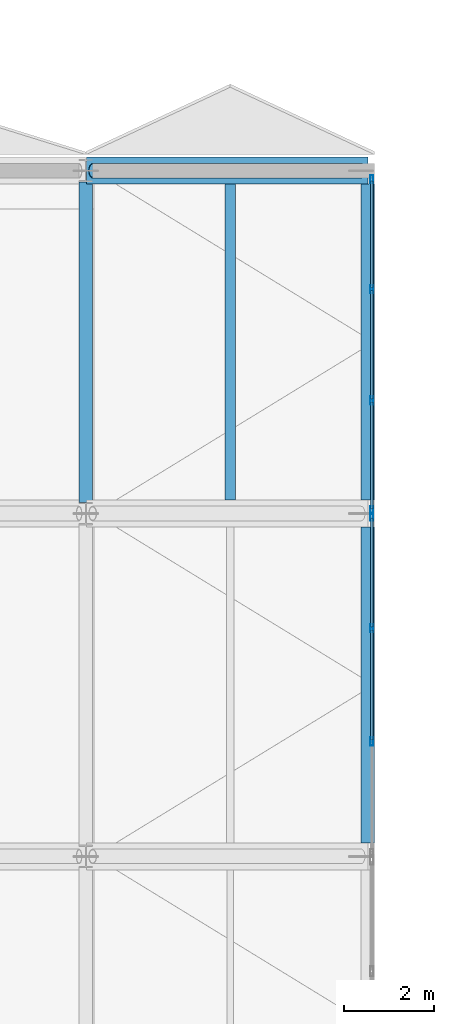
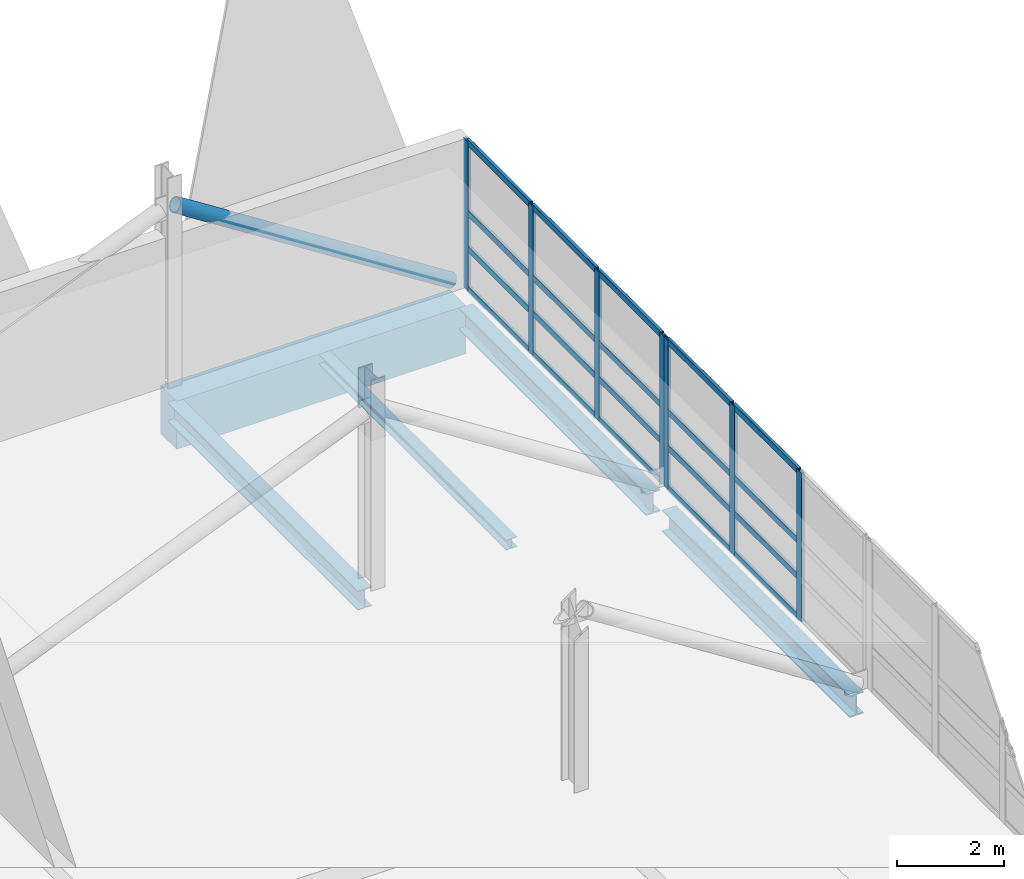
# One storey, part 24 of 147: 28 members, 5 beams, 2 elements without a shape of their own.
"""IFC4 building model written with IfcOpenShell, lengths in metres."""

from ifc_helpers import new_model, si_unit, direction, frame, origin, origin_2d, place, context, subcontext, project, spatial, rectangle, hollow_rectangle, hollow_circle, i_section, extrude, material, material_profile, profile_set, type_object, element, aggregate, save


model = new_model("IFC4")

# Units and contexts
model_context = context("Model", 3, precision=1e-05, world=origin(), true_north=direction((0.0, 1.0)))
body_context = subcontext(model_context, "Body", "Model", "MODEL_VIEW")
ifc_project = project(units=[si_unit("LENGTHUNIT", "METRE"), si_unit("AREAUNIT", "SQUARE_METRE"), si_unit("VOLUMEUNIT", "CUBIC_METRE"), si_unit("PLANEANGLEUNIT", "RADIAN"), si_unit("MASSUNIT", "GRAM", prefix="KILO")], contexts=[model_context])

# Site, building, storey
site_placement = place(None, origin())
site = spatial("IfcSite", under=ifc_project, at=site_placement, CompositionType="ELEMENT")
building_placement = place(site_placement, origin())
building = spatial("IfcBuilding", under=site, at=building_placement, Name="Khelvaren Railside Concert Hall", CompositionType="ELEMENT")
storey_placement = place(building_placement, frame((0.0, 0.0, 5.39990234375)))
storey = spatial("IfcBuildingStorey", under=building, at=storey_placement, Name="L01", CompositionType="ELEMENT", Elevation=5.39990234375)

# Beam
ifc_material_1 = material(Name="Steel S355", Category="steel")
ifc_material_profile_1 = material_profile(ifc_material_1, i_section(OverallWidth=0.300048828125, OverallDepth=0.43994140625, WebThickness=0.011474609375, FlangeThickness=0.02099609375, FilletRadius=0.027099609375, at=origin_2d()), Name="HEA 450")
ifc_profile_set_1 = profile_set([ifc_material_profile_1], Name="Steel S355")
beam_type_1 = type_object("IfcBeamType", Name="BM89", PredefinedType="BEAM", material=ifc_profile_set_1)
beam_1_placement = place(storey_placement, frame((49.60009765625, 38.25, -0.52001953125), z_axis=(0.0, 1.0, 0.0), x_axis=(-1.0, 0.0, 0.0)))
element("IfcBeam", 1, at=beam_1_placement, inside=storey, type_object=beam_type_1, Name="V1 L01 Beam Y7.6", PredefinedType="BEAM", context=body_context, shape_type="SweptSolid", body=[
    extrude(i_section(OverallWidth=0.300048828125, OverallDepth=0.43994140625, WebThickness=0.011474609375, FlangeThickness=0.02099609375, FilletRadius=0.027099609375, at=origin_2d()), origin(), (0.0, 0.0, 1.0), 7.10009765625),
])

# Member
ifc_material_profile_2 = material_profile(ifc_material_1, hollow_circle(Radius=0.161865234375, WallThickness=0.01611328125, at=origin_2d()), Name="CHS 323.9x16")
ifc_profile_set_2 = profile_set([ifc_material_profile_2], Name="Steel S355")
member_type_1 = type_object("IfcMemberType", Name="BR78", PredefinedType="BRACE", material=ifc_profile_set_2)
member_1_placement = place(storey_placement, frame((49.75, 45.60009765625, 3.960205078125), z_axis=(0.842137077221, 0.0, -0.539263519228), x_axis=(0.0, 1.0, 0.0)))
element("IfcMember", 2, at=member_1_placement, inside=storey, type_object=member_type_1, Name="V1 L01 Plaza Cantilever Truss Diagonal 7A", PredefinedType="BRACE", context=body_context, shape_type="SweptSolid", body=[
    extrude(hollow_circle(Radius=0.161865234375, WallThickness=0.01611328125, at=origin_2d()), origin(), (0.0, 0.0, 1.0), 7.065185546875),
])

# Curtain wall, members
ifc_material_2 = material(Name="Double-glazed low-E dark acoustic glass", Category="glass")
curtain_wall_type_1 = type_object("IfcCurtainWallType", Name="CW65", PredefinedType="USERDEFINED", material=ifc_material_2)
curtain_wall_1_placement = place(storey_placement, origin())
curtain_wall_1 = element("IfcCurtainWall", 3, at=curtain_wall_1_placement, inside=storey, type_object=curtain_wall_type_1, Name="Unitised Curtain Wall CW-V1-L01-E-30", ObjectType="UNITISED CURTAIN WALL", PredefinedType="USERDEFINED")
ifc_material_3 = material(Name="Anodised architectural aluminium 6063-T6", Category="aluminium")
ifc_material_profile_3 = material_profile(ifc_material_3, hollow_rectangle(XDim=0.06494140625, YDim=0.179931640625, WallThickness=0.00390625, InnerFilletRadius=0.001953125, OuterFilletRadius=0.00390625, at=origin_2d()), Name="CWM 65x180x4")
ifc_profile_set_3 = profile_set([ifc_material_profile_3], Name="Anodised architectural aluminium 6063-T6")
member_type_2 = type_object("IfcMemberType", Name="CWM63", PredefinedType="MULLION", material=ifc_profile_set_3)
member_2_placement = place(storey_placement, frame((55.93994140625, 37.927490234375, 0.0), z_axis=(0.0, 0.0, 1.0), x_axis=(1.0, 0.0, 0.0)))
member_2 = element("IfcMember", 4, at=member_2_placement, type_object=member_type_2, Name="CW65 mullion 1", PredefinedType="MULLION", context=body_context, shape_type="SweptSolid", body=[
    extrude(hollow_rectangle(XDim=0.06494140625, YDim=0.179931640625, WallThickness=0.00390625, InnerFilletRadius=0.001953125, OuterFilletRadius=0.00390625, at=origin_2d()), origin(), (0.0, 0.0, 1.0), 3.400146484375),
])
member_3_placement = place(storey_placement, frame((55.93994140625, 35.453369140625, 0.0), z_axis=(0.0, 0.0, 1.0), x_axis=(1.0, 0.0, 0.0)))
member_3 = element("IfcMember", 5, at=member_3_placement, type_object=member_type_2, Name="CW65 mullion 2", PredefinedType="MULLION", context=body_context, shape_type="SweptSolid", body=[
    extrude(hollow_rectangle(XDim=0.06494140625, YDim=0.179931640625, WallThickness=0.00390625, InnerFilletRadius=0.001953125, OuterFilletRadius=0.00390625, at=origin_2d()), origin(), (0.0, 0.0, 1.0), 3.400146484375),
])
member_4_placement = place(storey_placement, frame((55.93994140625, 32.94677734375, 0.0), z_axis=(0.0, 0.0, 1.0), x_axis=(1.0, 0.0, 0.0)))
member_4 = element("IfcMember", 6, at=member_4_placement, type_object=member_type_2, Name="CW65 mullion 3", PredefinedType="MULLION", context=body_context, shape_type="SweptSolid", body=[
    extrude(hollow_rectangle(XDim=0.06494140625, YDim=0.179931640625, WallThickness=0.00390625, InnerFilletRadius=0.001953125, OuterFilletRadius=0.00390625, at=origin_2d()), origin(), (0.0, 0.0, 1.0), 3.400146484375),
])

curtain_wall_type_2 = type_object("IfcCurtainWallType", Name="CW69", PredefinedType="USERDEFINED", material=ifc_material_2)
curtain_wall_2_placement = place(storey_placement, origin())
curtain_wall_2 = element("IfcCurtainWall", 7, at=curtain_wall_2_placement, inside=storey, type_object=curtain_wall_type_2, Name="Unitised Curtain Wall CW-V1-L01-E-38", ObjectType="UNITISED CURTAIN WALL", PredefinedType="USERDEFINED")
member_5_placement = place(storey_placement, frame((55.93994140625, 45.407470703125, 0.0), z_axis=(0.0, 0.0, 1.0), x_axis=(1.0, 0.0, 0.0)))
member_5 = element("IfcMember", 8, at=member_5_placement, type_object=member_type_2, Name="CW69 mullion 1", PredefinedType="MULLION", context=body_context, shape_type="SweptSolid", body=[
    extrude(hollow_rectangle(XDim=0.06494140625, YDim=0.179931640625, WallThickness=0.00390625, InnerFilletRadius=0.001953125, OuterFilletRadius=0.00390625, at=origin_2d()), origin(), (0.0, 0.0, 1.0), 3.400146484375),
])
member_6_placement = place(storey_placement, frame((55.93994140625, 42.973388671875, 0.0), z_axis=(0.0, 0.0, 1.0), x_axis=(1.0, 0.0, 0.0)))
member_6 = element("IfcMember", 9, at=member_6_placement, type_object=member_type_2, Name="CW69 mullion 2", PredefinedType="MULLION", context=body_context, shape_type="SweptSolid", body=[
    extrude(hollow_rectangle(XDim=0.06494140625, YDim=0.179931640625, WallThickness=0.00390625, InnerFilletRadius=0.001953125, OuterFilletRadius=0.00390625, at=origin_2d()), origin(), (0.0, 0.0, 1.0), 3.400146484375),
])
member_7_placement = place(storey_placement, frame((55.93994140625, 40.506591796875, 0.0), z_axis=(0.0, 0.0, 1.0), x_axis=(1.0, 0.0, 0.0)))
member_7 = element("IfcMember", 10, at=member_7_placement, type_object=member_type_2, Name="CW69 mullion 3", PredefinedType="MULLION", context=body_context, shape_type="SweptSolid", body=[
    extrude(hollow_rectangle(XDim=0.06494140625, YDim=0.179931640625, WallThickness=0.00390625, InnerFilletRadius=0.001953125, OuterFilletRadius=0.00390625, at=origin_2d()), origin(), (0.0, 0.0, 1.0), 3.400146484375),
])
member_8_placement = place(storey_placement, frame((55.93994140625, 38.072509765625, 0.0), z_axis=(0.0, 0.0, 1.0), x_axis=(1.0, 0.0, 0.0)))
member_8 = element("IfcMember", 11, at=member_8_placement, type_object=member_type_2, Name="CW69 mullion 4", PredefinedType="MULLION", context=body_context, shape_type="SweptSolid", body=[
    extrude(hollow_rectangle(XDim=0.06494140625, YDim=0.179931640625, WallThickness=0.00390625, InnerFilletRadius=0.001953125, OuterFilletRadius=0.00390625, at=origin_2d()), origin(), (0.0, 0.0, 1.0), 3.400146484375),
])

# Member
ifc_material_profile_4 = material_profile(ifc_material_3, hollow_rectangle(XDim=0.06494140625, YDim=0.139892578125, WallThickness=0.00390625, InnerFilletRadius=0.001953125, OuterFilletRadius=0.00390625, at=origin_2d()), Name="CWT 65x140x4")
ifc_profile_set_4 = profile_set([ifc_material_profile_4], Name="Anodised architectural aluminium 6063-T6")
member_type_3 = type_object("IfcMemberType", Name="CWT72", PredefinedType="USERDEFINED", material=ifc_profile_set_4)
member_9_placement = place(storey_placement, frame((55.93994140625, 37.89501953125, 0.03271484375), z_axis=(0.0, -1.0, 0.0), x_axis=(1.0, 0.0, 0.0)))
member_9 = element("IfcMember", 12, at=member_9_placement, type_object=member_type_3, Name="CW65 transom 1.1", ObjectType="TRANSOM", PredefinedType="USERDEFINED", context=body_context, shape_type="SweptSolid", body=[
    extrude(hollow_rectangle(XDim=0.06494140625, YDim=0.139892578125, WallThickness=0.00390625, InnerFilletRadius=0.001953125, OuterFilletRadius=0.00390625, at=origin_2d()), origin(), (0.0, 0.0, 1.0), 2.4091796875),
])

member_10_placement = place(storey_placement, frame((55.93994140625, 37.89501953125, 0.9501953125), z_axis=(0.0, -1.0, 0.0), x_axis=(1.0, 0.0, 0.0)))
member_10 = element("IfcMember", 13, at=member_10_placement, type_object=member_type_3, Name="CW65 transom 1.2", ObjectType="TRANSOM", PredefinedType="USERDEFINED", context=body_context, shape_type="SweptSolid", body=[
    extrude(hollow_rectangle(XDim=0.06494140625, YDim=0.139892578125, WallThickness=0.00390625, InnerFilletRadius=0.001953125, OuterFilletRadius=0.00390625, at=origin_2d()), origin(), (0.0, 0.0, 1.0), 2.4091796875),
])

member_11_placement = place(storey_placement, frame((55.93994140625, 37.89501953125, 1.76806640625), z_axis=(0.0, -1.0, 0.0), x_axis=(1.0, 0.0, 0.0)))
member_11 = element("IfcMember", 14, at=member_11_placement, type_object=member_type_3, Name="CW65 transom 1.3", ObjectType="TRANSOM", PredefinedType="USERDEFINED", context=body_context, shape_type="SweptSolid", body=[
    extrude(hollow_rectangle(XDim=0.06494140625, YDim=0.139892578125, WallThickness=0.00390625, InnerFilletRadius=0.001953125, OuterFilletRadius=0.00390625, at=origin_2d()), origin(), (0.0, 0.0, 1.0), 2.4091796875),
])

member_12_placement = place(storey_placement, frame((55.93994140625, 37.89501953125, 3.36767578125), z_axis=(0.0, -1.0, 0.0), x_axis=(1.0, 0.0, 0.0)))
member_12 = element("IfcMember", 15, at=member_12_placement, type_object=member_type_3, Name="CW65 transom 1.4", ObjectType="TRANSOM", PredefinedType="USERDEFINED", context=body_context, shape_type="SweptSolid", body=[
    extrude(hollow_rectangle(XDim=0.06494140625, YDim=0.139892578125, WallThickness=0.00390625, InnerFilletRadius=0.001953125, OuterFilletRadius=0.00390625, at=origin_2d()), origin(), (0.0, 0.0, 1.0), 2.4091796875),
])

member_13_placement = place(storey_placement, frame((55.93994140625, 35.4208984375, 0.03271484375), z_axis=(0.0, -1.0, 0.0), x_axis=(1.0, 0.0, 0.0)))
member_13 = element("IfcMember", 16, at=member_13_placement, type_object=member_type_3, Name="CW65 transom 2.1", ObjectType="TRANSOM", PredefinedType="USERDEFINED", context=body_context, shape_type="SweptSolid", body=[
    extrude(hollow_rectangle(XDim=0.06494140625, YDim=0.139892578125, WallThickness=0.00390625, InnerFilletRadius=0.001953125, OuterFilletRadius=0.00390625, at=origin_2d()), origin(), (0.0, 0.0, 1.0), 2.441650390625),
])

member_14_placement = place(storey_placement, frame((55.93994140625, 35.4208984375, 0.9501953125), z_axis=(0.0, -1.0, 0.0), x_axis=(1.0, 0.0, 0.0)))
member_14 = element("IfcMember", 17, at=member_14_placement, type_object=member_type_3, Name="CW65 transom 2.2", ObjectType="TRANSOM", PredefinedType="USERDEFINED", context=body_context, shape_type="SweptSolid", body=[
    extrude(hollow_rectangle(XDim=0.06494140625, YDim=0.139892578125, WallThickness=0.00390625, InnerFilletRadius=0.001953125, OuterFilletRadius=0.00390625, at=origin_2d()), origin(), (0.0, 0.0, 1.0), 2.441650390625),
])

member_15_placement = place(storey_placement, frame((55.93994140625, 35.4208984375, 1.76806640625), z_axis=(0.0, -1.0, 0.0), x_axis=(1.0, 0.0, 0.0)))
member_15 = element("IfcMember", 18, at=member_15_placement, type_object=member_type_3, Name="CW65 transom 2.3", ObjectType="TRANSOM", PredefinedType="USERDEFINED", context=body_context, shape_type="SweptSolid", body=[
    extrude(hollow_rectangle(XDim=0.06494140625, YDim=0.139892578125, WallThickness=0.00390625, InnerFilletRadius=0.001953125, OuterFilletRadius=0.00390625, at=origin_2d()), origin(), (0.0, 0.0, 1.0), 2.441650390625),
])

member_16_placement = place(storey_placement, frame((55.93994140625, 35.4208984375, 3.36767578125), z_axis=(0.0, -1.0, 0.0), x_axis=(1.0, 0.0, 0.0)))
member_16 = element("IfcMember", 19, at=member_16_placement, type_object=member_type_3, Name="CW65 transom 2.4", ObjectType="TRANSOM", PredefinedType="USERDEFINED", context=body_context, shape_type="SweptSolid", body=[
    extrude(hollow_rectangle(XDim=0.06494140625, YDim=0.139892578125, WallThickness=0.00390625, InnerFilletRadius=0.001953125, OuterFilletRadius=0.00390625, at=origin_2d()), origin(), (0.0, 0.0, 1.0), 2.441650390625),
])

aggregate(curtain_wall_1, [member_2, member_3, member_4, member_9, member_10, member_11, member_12, member_13, member_14, member_15, member_16])

member_17_placement = place(storey_placement, frame((55.93994140625, 45.375, 0.03271484375), z_axis=(0.0, -1.0, 0.0), x_axis=(1.0, 0.0, 0.0)))
member_17 = element("IfcMember", 20, at=member_17_placement, type_object=member_type_3, Name="CW69 transom 1.1", ObjectType="TRANSOM", PredefinedType="USERDEFINED", context=body_context, shape_type="SweptSolid", body=[
    extrude(hollow_rectangle(XDim=0.06494140625, YDim=0.139892578125, WallThickness=0.00390625, InnerFilletRadius=0.001953125, OuterFilletRadius=0.00390625, at=origin_2d()), origin(), (0.0, 0.0, 1.0), 2.369140625),
])

member_18_placement = place(storey_placement, frame((55.93994140625, 45.375, 0.9501953125), z_axis=(0.0, -1.0, 0.0), x_axis=(1.0, 0.0, 0.0)))
member_18 = element("IfcMember", 21, at=member_18_placement, type_object=member_type_3, Name="CW69 transom 1.2", ObjectType="TRANSOM", PredefinedType="USERDEFINED", context=body_context, shape_type="SweptSolid", body=[
    extrude(hollow_rectangle(XDim=0.06494140625, YDim=0.139892578125, WallThickness=0.00390625, InnerFilletRadius=0.001953125, OuterFilletRadius=0.00390625, at=origin_2d()), origin(), (0.0, 0.0, 1.0), 2.369140625),
])

member_19_placement = place(storey_placement, frame((55.93994140625, 45.375, 1.76806640625), z_axis=(0.0, -1.0, 0.0), x_axis=(1.0, 0.0, 0.0)))
member_19 = element("IfcMember", 22, at=member_19_placement, type_object=member_type_3, Name="CW69 transom 1.3", ObjectType="TRANSOM", PredefinedType="USERDEFINED", context=body_context, shape_type="SweptSolid", body=[
    extrude(hollow_rectangle(XDim=0.06494140625, YDim=0.139892578125, WallThickness=0.00390625, InnerFilletRadius=0.001953125, OuterFilletRadius=0.00390625, at=origin_2d()), origin(), (0.0, 0.0, 1.0), 2.369140625),
])

member_20_placement = place(storey_placement, frame((55.93994140625, 45.375, 3.36767578125), z_axis=(0.0, -1.0, 0.0), x_axis=(1.0, 0.0, 0.0)))
member_20 = element("IfcMember", 23, at=member_20_placement, type_object=member_type_3, Name="CW69 transom 1.4", ObjectType="TRANSOM", PredefinedType="USERDEFINED", context=body_context, shape_type="SweptSolid", body=[
    extrude(hollow_rectangle(XDim=0.06494140625, YDim=0.139892578125, WallThickness=0.00390625, InnerFilletRadius=0.001953125, OuterFilletRadius=0.00390625, at=origin_2d()), origin(), (0.0, 0.0, 1.0), 2.369140625),
])

member_21_placement = place(storey_placement, frame((55.93994140625, 42.94091796875, 0.03271484375), z_axis=(0.0, -1.0, 0.0), x_axis=(1.0, 0.0, 0.0)))
member_21 = element("IfcMember", 24, at=member_21_placement, type_object=member_type_3, Name="CW69 transom 2.1", ObjectType="TRANSOM", PredefinedType="USERDEFINED", context=body_context, shape_type="SweptSolid", body=[
    extrude(hollow_rectangle(XDim=0.06494140625, YDim=0.139892578125, WallThickness=0.00390625, InnerFilletRadius=0.001953125, OuterFilletRadius=0.00390625, at=origin_2d()), origin(), (0.0, 0.0, 1.0), 2.40185546875),
])

member_22_placement = place(storey_placement, frame((55.93994140625, 42.94091796875, 0.9501953125), z_axis=(0.0, -1.0, 0.0), x_axis=(1.0, 0.0, 0.0)))
member_22 = element("IfcMember", 25, at=member_22_placement, type_object=member_type_3, Name="CW69 transom 2.2", ObjectType="TRANSOM", PredefinedType="USERDEFINED", context=body_context, shape_type="SweptSolid", body=[
    extrude(hollow_rectangle(XDim=0.06494140625, YDim=0.139892578125, WallThickness=0.00390625, InnerFilletRadius=0.001953125, OuterFilletRadius=0.00390625, at=origin_2d()), origin(), (0.0, 0.0, 1.0), 2.40185546875),
])

member_23_placement = place(storey_placement, frame((55.93994140625, 42.94091796875, 1.76806640625), z_axis=(0.0, -1.0, 0.0), x_axis=(1.0, 0.0, 0.0)))
member_23 = element("IfcMember", 26, at=member_23_placement, type_object=member_type_3, Name="CW69 transom 2.3", ObjectType="TRANSOM", PredefinedType="USERDEFINED", context=body_context, shape_type="SweptSolid", body=[
    extrude(hollow_rectangle(XDim=0.06494140625, YDim=0.139892578125, WallThickness=0.00390625, InnerFilletRadius=0.001953125, OuterFilletRadius=0.00390625, at=origin_2d()), origin(), (0.0, 0.0, 1.0), 2.40185546875),
])

member_24_placement = place(storey_placement, frame((55.93994140625, 42.94091796875, 3.36767578125), z_axis=(0.0, -1.0, 0.0), x_axis=(1.0, 0.0, 0.0)))
member_24 = element("IfcMember", 27, at=member_24_placement, type_object=member_type_3, Name="CW69 transom 2.4", ObjectType="TRANSOM", PredefinedType="USERDEFINED", context=body_context, shape_type="SweptSolid", body=[
    extrude(hollow_rectangle(XDim=0.06494140625, YDim=0.139892578125, WallThickness=0.00390625, InnerFilletRadius=0.001953125, OuterFilletRadius=0.00390625, at=origin_2d()), origin(), (0.0, 0.0, 1.0), 2.40185546875),
])

member_25_placement = place(storey_placement, frame((55.93994140625, 40.47412109375, 0.03271484375), z_axis=(0.0, -1.0, 0.0), x_axis=(1.0, 0.0, 0.0)))
member_25 = element("IfcMember", 28, at=member_25_placement, type_object=member_type_3, Name="CW69 transom 3.1", ObjectType="TRANSOM", PredefinedType="USERDEFINED", context=body_context, shape_type="SweptSolid", body=[
    extrude(hollow_rectangle(XDim=0.06494140625, YDim=0.139892578125, WallThickness=0.00390625, InnerFilletRadius=0.001953125, OuterFilletRadius=0.00390625, at=origin_2d()), origin(), (0.0, 0.0, 1.0), 2.369140625),
])

member_26_placement = place(storey_placement, frame((55.93994140625, 40.47412109375, 0.9501953125), z_axis=(0.0, -1.0, 0.0), x_axis=(1.0, 0.0, 0.0)))
member_26 = element("IfcMember", 29, at=member_26_placement, type_object=member_type_3, Name="CW69 transom 3.2", ObjectType="TRANSOM", PredefinedType="USERDEFINED", context=body_context, shape_type="SweptSolid", body=[
    extrude(hollow_rectangle(XDim=0.06494140625, YDim=0.139892578125, WallThickness=0.00390625, InnerFilletRadius=0.001953125, OuterFilletRadius=0.00390625, at=origin_2d()), origin(), (0.0, 0.0, 1.0), 2.369140625),
])

member_27_placement = place(storey_placement, frame((55.93994140625, 40.47412109375, 1.76806640625), z_axis=(0.0, -1.0, 0.0), x_axis=(1.0, 0.0, 0.0)))
member_27 = element("IfcMember", 30, at=member_27_placement, type_object=member_type_3, Name="CW69 transom 3.3", ObjectType="TRANSOM", PredefinedType="USERDEFINED", context=body_context, shape_type="SweptSolid", body=[
    extrude(hollow_rectangle(XDim=0.06494140625, YDim=0.139892578125, WallThickness=0.00390625, InnerFilletRadius=0.001953125, OuterFilletRadius=0.00390625, at=origin_2d()), origin(), (0.0, 0.0, 1.0), 2.369140625),
])

member_28_placement = place(storey_placement, frame((55.93994140625, 40.47412109375, 3.36767578125), z_axis=(0.0, -1.0, 0.0), x_axis=(1.0, 0.0, 0.0)))
member_28 = element("IfcMember", 31, at=member_28_placement, type_object=member_type_3, Name="CW69 transom 3.4", ObjectType="TRANSOM", PredefinedType="USERDEFINED", context=body_context, shape_type="SweptSolid", body=[
    extrude(hollow_rectangle(XDim=0.06494140625, YDim=0.139892578125, WallThickness=0.00390625, InnerFilletRadius=0.001953125, OuterFilletRadius=0.00390625, at=origin_2d()), origin(), (0.0, 0.0, 1.0), 2.369140625),
])

aggregate(curtain_wall_2, [member_5, member_6, member_7, member_8, member_17, member_18, member_19, member_20, member_21, member_22, member_23, member_24, member_25, member_26, member_27, member_28])

# Beams
ifc_material_4 = material(Name="Concrete C40/50", Category="concrete")
ifc_material_profile_5 = material_profile(ifc_material_4, rectangle(XDim=0.60009765625, YDim=1.10009765625, at=origin_2d()), Name="RCB 600x1100")
ifc_profile_set_5 = profile_set([ifc_material_profile_5], Name="Concrete C40/50")
beam_type_2 = type_object("IfcBeamType", Name="GR15", PredefinedType="T_BEAM", material=ifc_profile_set_5)
beam_2_placement = place(storey_placement, frame((49.610107421875, 45.60009765625, -0.849853515625), z_axis=(1.0, 0.0, 0.0), x_axis=(0.0, 1.0, 0.0)))
element("IfcBeam", 32, at=beam_2_placement, inside=storey, type_object=beam_type_2, Name="V1 L01 Arrival Cantilever Girder 7", PredefinedType="T_BEAM", context=body_context, shape_type="SweptSolid", body=[
    extrude(rectangle(XDim=0.60009765625, YDim=1.10009765625, at=origin_2d()), origin(), (0.0, 0.0, 1.0), 6.239990234375),
])
ifc_material_profile_6 = material_profile(ifc_material_1, i_section(OverallWidth=0.239990234375, OverallDepth=0.22998046875, WebThickness=0.007568359375, FlangeThickness=0.011962890625, FilletRadius=0.02099609375, at=origin_2d()), Name="HEA 240")
ifc_profile_set_6 = profile_set([ifc_material_profile_6], Name="Steel S355")
beam_type_3 = type_object("IfcBeamType", Name="JS76", PredefinedType="JOIST", material=ifc_profile_set_6)
beam_3_placement = place(storey_placement, frame((52.800048828125, 38.300048828125, -0.414794921875), z_axis=(0.0, 1.0, 0.0), x_axis=(-1.0, 0.0, 0.0)))
element("IfcBeam", 33, at=beam_3_placement, inside=storey, type_object=beam_type_3, Name="V1 L01 Secondary Joist 7.6", PredefinedType="JOIST", context=body_context, shape_type="SweptSolid", body=[
    extrude(i_section(OverallWidth=0.239990234375, OverallDepth=0.22998046875, WebThickness=0.007568359375, FlangeThickness=0.011962890625, FilletRadius=0.02099609375, at=origin_2d()), origin(), (0.0, 0.0, 1.0), 7.0),
])
ifc_material_profile_7 = material_profile(ifc_material_1, i_section(OverallWidth=0.300048828125, OverallDepth=0.5, WebThickness=0.014404296875, FlangeThickness=0.028076171875, FilletRadius=0.027099609375, at=origin_2d()), Name="HEB 500")
ifc_profile_set_7 = profile_set([ifc_material_profile_7], Name="Steel S355")
beam_type_4 = type_object("IfcBeamType", Name="SP12", PredefinedType="SPANDREL", material=ifc_profile_set_7)
for number, where, z_axis, x_axis, name in (
    (34, (55.85009765625, 30.699951171875, -0.5498046875), (0.0, 1.0, 0.0), (-1.0, 0.0, 0.0), "V1 L01 Cantilever Tip Spandrel Y5"),
    (35, (55.85009765625, 38.300048828125, -0.5498046875), (0.0, 1.0, 0.0), (-1.0, 0.0, 0.0), "V1 L01 Cantilever Tip Spandrel Y6"),
):
    element("IfcBeam", number, at=place(storey_placement, frame(where, z_axis=z_axis, x_axis=x_axis)), inside=storey, type_object=beam_type_4, Name=name, PredefinedType="SPANDREL", context=body_context, shape_type="SweptSolid", body=[
        extrude(i_section(OverallWidth=0.300048828125, OverallDepth=0.5, WebThickness=0.014404296875, FlangeThickness=0.028076171875, FilletRadius=0.027099609375, at=origin_2d()), origin(), (0.0, 0.0, 1.0), 7.0),
    ])

save(model, "model.ifc")
